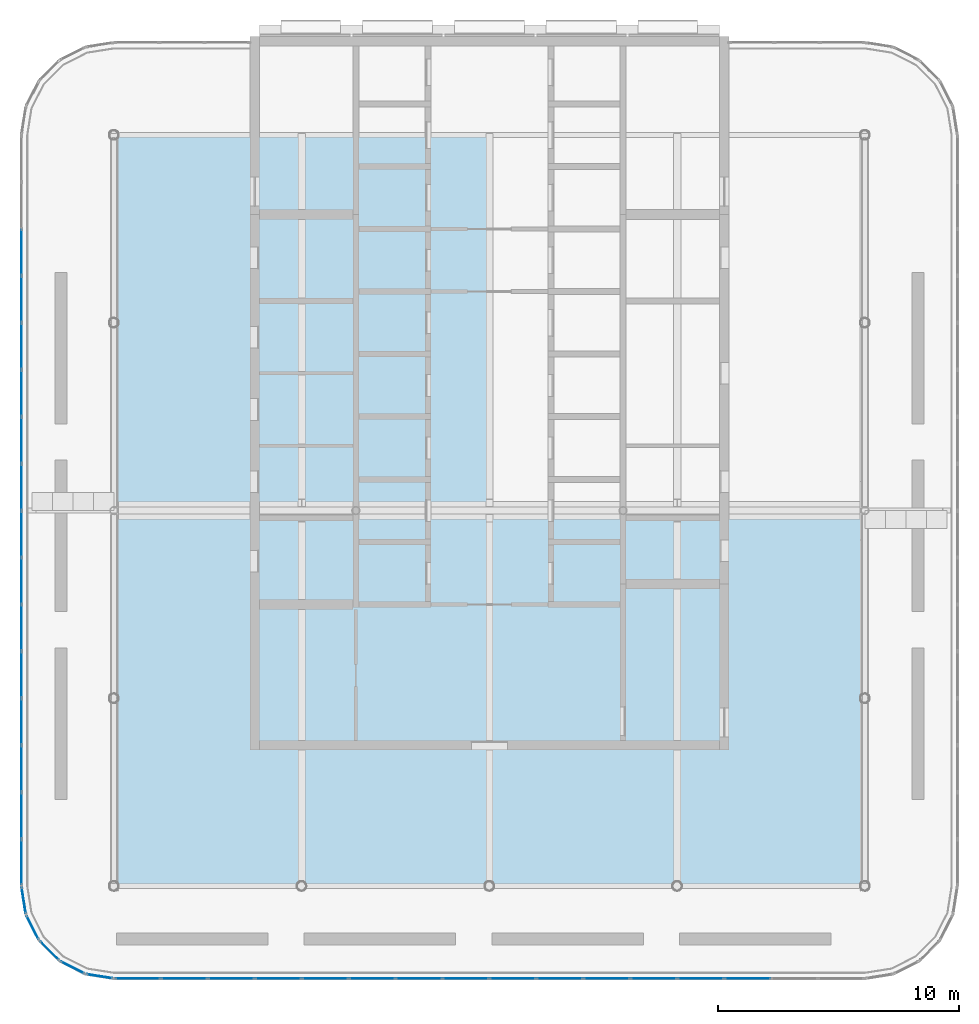
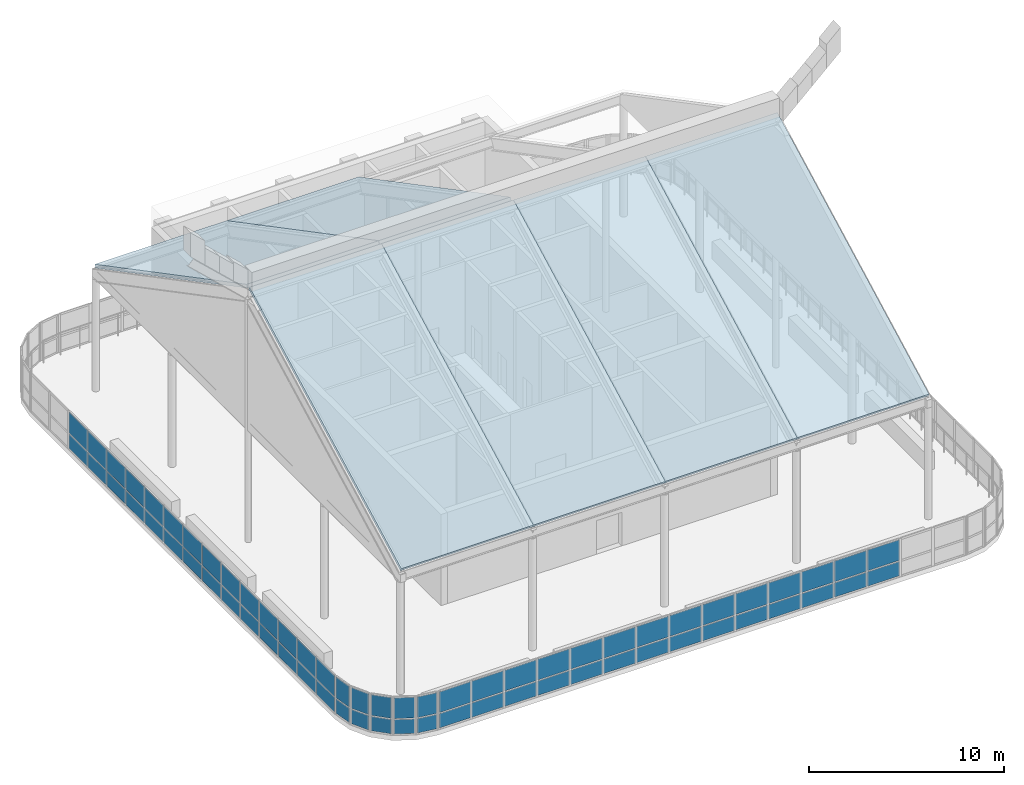
# One storey, part 13 of 19: 66 plates, 6 slabs, 7 elements without a shape of their own.
"""IFC4 building model written with IfcOpenShell, lengths in metres."""

from ifc_helpers import new_model, si_unit, direction, frame, origin, origin_2d, place, context, subcontext, project, spatial, polyline, rectangle, outline, extrude, material, layer, layer_set, type_object, element, aggregate, save


model = new_model("IFC4")

# Units and contexts
model_context = context("Model", 3, precision=1e-05, world=origin(), true_north=direction((0.0, 1.0)))
body_context = subcontext(model_context, "Body", "Model", "MODEL_VIEW")
ifc_project = project(units=[si_unit("LENGTHUNIT", "METRE"), si_unit("AREAUNIT", "SQUARE_METRE"), si_unit("VOLUMEUNIT", "CUBIC_METRE"), si_unit("PLANEANGLEUNIT", "RADIAN"), si_unit("MASSUNIT", "GRAM", prefix="KILO")], contexts=[model_context])

# Site, building, storey
site_placement = place(None, origin())
site = spatial("IfcSite", under=ifc_project, at=site_placement, CompositionType="ELEMENT")
building_placement = place(site_placement, origin())
building = spatial("IfcBuilding", under=site, at=building_placement, Name="Ludao Terraces", CompositionType="ELEMENT")
storey_placement = place(building_placement, frame((0.0, 0.0, 266.39990234375)))
storey = spatial("IfcBuildingStorey", under=building, at=storey_placement, Name="L73", CompositionType="ELEMENT", Elevation=266.39990234375)

# Curtain wall, plates
ifc_material_1 = material(Name="Aluminium curtain wall with fritted glass", Category="aluminium")
curtain_wall_type = type_object("IfcCurtainWallType", Name="ENV CW6 crown screen glazing", PredefinedType="NOTDEFINED", material=ifc_material_1)
curtain_wall_1_placement = place(storey_placement, origin())
curtain_wall_1 = element("IfcCurtainWall", 1, at=curtain_wall_1_placement, inside=storey, type_object=curtain_wall_type, Name="Deck windscreen S1", PredefinedType="NOTDEFINED")
ifc_material_2 = material(Name="Fritted glass panel", Category="glass")
ifc_layer_1 = layer(ifc_material_2, 0.030029296875)
ifc_layer_set_1 = layer_set([ifc_layer_1], Name="ENV CW6 glass panel")
plate_type = type_object("IfcPlateType", Name="ENV CW6 glass panel", PredefinedType="CURTAIN_PANEL", material=ifc_layer_set_1)
plate_1_placement = place(storey_placement, frame((70.392578125, 45.56005859375, 0.070068359375), z_axis=(0.0, 0.0, 1.0), x_axis=(1.0, 0.0, 0.0)))
plate_1 = element("IfcPlate", 2, at=plate_1_placement, type_object=plate_type, Name="CW6 panel 1.1", PredefinedType="CURTAIN_PANEL", context=body_context, shape_type="SweptSolid", body=[
    extrude(rectangle(XDim=1.844970703125, YDim=0.030029296875, at=origin_2d()), origin(), (0.0, 0.0, 1.0), 0.89501953125),
])
plate_2_placement = place(storey_placement, frame((70.392578125, 45.56005859375, 1.03515625), z_axis=(0.0, 0.0, 1.0), x_axis=(1.0, 0.0, 0.0)))
plate_2 = element("IfcPlate", 3, at=plate_2_placement, type_object=plate_type, Name="CW6 panel 1.2", PredefinedType="CURTAIN_PANEL", context=body_context, shape_type="SweptSolid", body=[
    extrude(rectangle(XDim=1.844970703125, YDim=0.030029296875, at=origin_2d()), origin(), (0.0, 0.0, 1.0), 1.294921875),
])
plate_3_placement = place(storey_placement, frame((72.324951171875, 45.56005859375, 0.070068359375), z_axis=(0.0, 0.0, 1.0), x_axis=(1.0, 0.0, 0.0)))
plate_3 = element("IfcPlate", 4, at=plate_3_placement, type_object=plate_type, Name="CW6 panel 2.1", PredefinedType="CURTAIN_PANEL", context=body_context, shape_type="SweptSolid", body=[
    extrude(rectangle(XDim=1.8798828125, YDim=0.030029296875, at=origin_2d()), origin(), (0.0, 0.0, 1.0), 0.89501953125),
])
plate_4_placement = place(storey_placement, frame((72.324951171875, 45.56005859375, 1.03515625), z_axis=(0.0, 0.0, 1.0), x_axis=(1.0, 0.0, 0.0)))
plate_4 = element("IfcPlate", 5, at=plate_4_placement, type_object=plate_type, Name="CW6 panel 2.2", PredefinedType="CURTAIN_PANEL", context=body_context, shape_type="SweptSolid", body=[
    extrude(rectangle(XDim=1.8798828125, YDim=0.030029296875, at=origin_2d()), origin(), (0.0, 0.0, 1.0), 1.294921875),
])
plate_5_placement = place(storey_placement, frame((74.27490234375, 45.56005859375, 0.070068359375), z_axis=(0.0, 0.0, 1.0), x_axis=(1.0, 0.0, 0.0)))
plate_5 = element("IfcPlate", 6, at=plate_5_placement, type_object=plate_type, Name="CW6 panel 3.1", PredefinedType="CURTAIN_PANEL", context=body_context, shape_type="SweptSolid", body=[
    extrude(rectangle(XDim=1.8798828125, YDim=0.030029296875, at=origin_2d()), origin(), (0.0, 0.0, 1.0), 0.89501953125),
])
plate_6_placement = place(storey_placement, frame((74.27490234375, 45.56005859375, 1.03515625), z_axis=(0.0, 0.0, 1.0), x_axis=(1.0, 0.0, 0.0)))
plate_6 = element("IfcPlate", 7, at=plate_6_placement, type_object=plate_type, Name="CW6 panel 3.2", PredefinedType="CURTAIN_PANEL", context=body_context, shape_type="SweptSolid", body=[
    extrude(rectangle(XDim=1.8798828125, YDim=0.030029296875, at=origin_2d()), origin(), (0.0, 0.0, 1.0), 1.294921875),
])
plate_7_placement = place(storey_placement, frame((76.22509765625, 45.56005859375, 0.070068359375), z_axis=(0.0, 0.0, 1.0), x_axis=(1.0, 0.0, 0.0)))
plate_7 = element("IfcPlate", 8, at=plate_7_placement, type_object=plate_type, Name="CW6 panel 4.1", PredefinedType="CURTAIN_PANEL", context=body_context, shape_type="SweptSolid", body=[
    extrude(rectangle(XDim=1.8798828125, YDim=0.030029296875, at=origin_2d()), origin(), (0.0, 0.0, 1.0), 0.89501953125),
])
plate_8_placement = place(storey_placement, frame((76.22509765625, 45.56005859375, 1.03515625), z_axis=(0.0, 0.0, 1.0), x_axis=(1.0, 0.0, 0.0)))
plate_8 = element("IfcPlate", 9, at=plate_8_placement, type_object=plate_type, Name="CW6 panel 4.2", PredefinedType="CURTAIN_PANEL", context=body_context, shape_type="SweptSolid", body=[
    extrude(rectangle(XDim=1.8798828125, YDim=0.030029296875, at=origin_2d()), origin(), (0.0, 0.0, 1.0), 1.294921875),
])
plate_9_placement = place(storey_placement, frame((78.175048828125, 45.56005859375, 0.070068359375), z_axis=(0.0, 0.0, 1.0), x_axis=(1.0, 0.0, 0.0)))
plate_9 = element("IfcPlate", 10, at=plate_9_placement, type_object=plate_type, Name="CW6 panel 5.1", PredefinedType="CURTAIN_PANEL", context=body_context, shape_type="SweptSolid", body=[
    extrude(rectangle(XDim=1.8798828125, YDim=0.030029296875, at=origin_2d()), origin(), (0.0, 0.0, 1.0), 0.89501953125),
])
plate_10_placement = place(storey_placement, frame((78.175048828125, 45.56005859375, 1.03515625), z_axis=(0.0, 0.0, 1.0), x_axis=(1.0, 0.0, 0.0)))
plate_10 = element("IfcPlate", 11, at=plate_10_placement, type_object=plate_type, Name="CW6 panel 5.2", PredefinedType="CURTAIN_PANEL", context=body_context, shape_type="SweptSolid", body=[
    extrude(rectangle(XDim=1.8798828125, YDim=0.030029296875, at=origin_2d()), origin(), (0.0, 0.0, 1.0), 1.294921875),
])
plate_11_placement = place(storey_placement, frame((80.125, 45.56005859375, 0.070068359375), z_axis=(0.0, 0.0, 1.0), x_axis=(1.0, 0.0, 0.0)))
plate_11 = element("IfcPlate", 12, at=plate_11_placement, type_object=plate_type, Name="CW6 panel 6.1", PredefinedType="CURTAIN_PANEL", context=body_context, shape_type="SweptSolid", body=[
    extrude(rectangle(XDim=1.8798828125, YDim=0.030029296875, at=origin_2d()), origin(), (0.0, 0.0, 1.0), 0.89501953125),
])
plate_12_placement = place(storey_placement, frame((80.125, 45.56005859375, 1.03515625), z_axis=(0.0, 0.0, 1.0), x_axis=(1.0, 0.0, 0.0)))
plate_12 = element("IfcPlate", 13, at=plate_12_placement, type_object=plate_type, Name="CW6 panel 6.2", PredefinedType="CURTAIN_PANEL", context=body_context, shape_type="SweptSolid", body=[
    extrude(rectangle(XDim=1.8798828125, YDim=0.030029296875, at=origin_2d()), origin(), (0.0, 0.0, 1.0), 1.294921875),
])
plate_13_placement = place(storey_placement, frame((82.074951171875, 45.56005859375, 0.070068359375), z_axis=(0.0, 0.0, 1.0), x_axis=(1.0, 0.0, 0.0)))
plate_13 = element("IfcPlate", 14, at=plate_13_placement, type_object=plate_type, Name="CW6 panel 7.1", PredefinedType="CURTAIN_PANEL", context=body_context, shape_type="SweptSolid", body=[
    extrude(rectangle(XDim=1.8798828125, YDim=0.030029296875, at=origin_2d()), origin(), (0.0, 0.0, 1.0), 0.89501953125),
])
plate_14_placement = place(storey_placement, frame((82.074951171875, 45.56005859375, 1.03515625), z_axis=(0.0, 0.0, 1.0), x_axis=(1.0, 0.0, 0.0)))
plate_14 = element("IfcPlate", 15, at=plate_14_placement, type_object=plate_type, Name="CW6 panel 7.2", PredefinedType="CURTAIN_PANEL", context=body_context, shape_type="SweptSolid", body=[
    extrude(rectangle(XDim=1.8798828125, YDim=0.030029296875, at=origin_2d()), origin(), (0.0, 0.0, 1.0), 1.294921875),
])
plate_15_placement = place(storey_placement, frame((84.02490234375, 45.56005859375, 0.070068359375), z_axis=(0.0, 0.0, 1.0), x_axis=(1.0, 0.0, 0.0)))
plate_15 = element("IfcPlate", 16, at=plate_15_placement, type_object=plate_type, Name="CW6 panel 8.1", PredefinedType="CURTAIN_PANEL", context=body_context, shape_type="SweptSolid", body=[
    extrude(rectangle(XDim=1.8798828125, YDim=0.030029296875, at=origin_2d()), origin(), (0.0, 0.0, 1.0), 0.89501953125),
])
plate_16_placement = place(storey_placement, frame((84.02490234375, 45.56005859375, 1.03515625), z_axis=(0.0, 0.0, 1.0), x_axis=(1.0, 0.0, 0.0)))
plate_16 = element("IfcPlate", 17, at=plate_16_placement, type_object=plate_type, Name="CW6 panel 8.2", PredefinedType="CURTAIN_PANEL", context=body_context, shape_type="SweptSolid", body=[
    extrude(rectangle(XDim=1.8798828125, YDim=0.030029296875, at=origin_2d()), origin(), (0.0, 0.0, 1.0), 1.294921875),
])
plate_17_placement = place(storey_placement, frame((85.97509765625, 45.56005859375, 0.070068359375), z_axis=(0.0, 0.0, 1.0), x_axis=(1.0, 0.0, 0.0)))
plate_17 = element("IfcPlate", 18, at=plate_17_placement, type_object=plate_type, Name="CW6 panel 9.1", PredefinedType="CURTAIN_PANEL", context=body_context, shape_type="SweptSolid", body=[
    extrude(rectangle(XDim=1.8798828125, YDim=0.030029296875, at=origin_2d()), origin(), (0.0, 0.0, 1.0), 0.89501953125),
])
plate_18_placement = place(storey_placement, frame((85.97509765625, 45.56005859375, 1.03515625), z_axis=(0.0, 0.0, 1.0), x_axis=(1.0, 0.0, 0.0)))
plate_18 = element("IfcPlate", 19, at=plate_18_placement, type_object=plate_type, Name="CW6 panel 9.2", PredefinedType="CURTAIN_PANEL", context=body_context, shape_type="SweptSolid", body=[
    extrude(rectangle(XDim=1.8798828125, YDim=0.030029296875, at=origin_2d()), origin(), (0.0, 0.0, 1.0), 1.294921875),
])
plate_19_placement = place(storey_placement, frame((87.925048828125, 45.56005859375, 0.070068359375), z_axis=(0.0, 0.0, 1.0), x_axis=(1.0, 0.0, 0.0)))
plate_19 = element("IfcPlate", 20, at=plate_19_placement, type_object=plate_type, Name="CW6 panel 10.1", PredefinedType="CURTAIN_PANEL", context=body_context, shape_type="SweptSolid", body=[
    extrude(rectangle(XDim=1.8798828125, YDim=0.030029296875, at=origin_2d()), origin(), (0.0, 0.0, 1.0), 0.89501953125),
])
plate_20_placement = place(storey_placement, frame((87.925048828125, 45.56005859375, 1.03515625), z_axis=(0.0, 0.0, 1.0), x_axis=(1.0, 0.0, 0.0)))
plate_20 = element("IfcPlate", 21, at=plate_20_placement, type_object=plate_type, Name="CW6 panel 10.2", PredefinedType="CURTAIN_PANEL", context=body_context, shape_type="SweptSolid", body=[
    extrude(rectangle(XDim=1.8798828125, YDim=0.030029296875, at=origin_2d()), origin(), (0.0, 0.0, 1.0), 1.294921875),
])
plate_21_placement = place(storey_placement, frame((89.875, 45.56005859375, 0.070068359375), z_axis=(0.0, 0.0, 1.0), x_axis=(1.0, 0.0, 0.0)))
plate_21 = element("IfcPlate", 22, at=plate_21_placement, type_object=plate_type, Name="CW6 panel 11.1", PredefinedType="CURTAIN_PANEL", context=body_context, shape_type="SweptSolid", body=[
    extrude(rectangle(XDim=1.8798828125, YDim=0.030029296875, at=origin_2d()), origin(), (0.0, 0.0, 1.0), 0.89501953125),
])
plate_22_placement = place(storey_placement, frame((89.875, 45.56005859375, 1.03515625), z_axis=(0.0, 0.0, 1.0), x_axis=(1.0, 0.0, 0.0)))
plate_22 = element("IfcPlate", 23, at=plate_22_placement, type_object=plate_type, Name="CW6 panel 11.2", PredefinedType="CURTAIN_PANEL", context=body_context, shape_type="SweptSolid", body=[
    extrude(rectangle(XDim=1.8798828125, YDim=0.030029296875, at=origin_2d()), origin(), (0.0, 0.0, 1.0), 1.294921875),
])
plate_23_placement = place(storey_placement, frame((91.824951171875, 45.56005859375, 0.070068359375), z_axis=(0.0, 0.0, 1.0), x_axis=(1.0, 0.0, 0.0)))
plate_23 = element("IfcPlate", 24, at=plate_23_placement, type_object=plate_type, Name="CW6 panel 12.1", PredefinedType="CURTAIN_PANEL", context=body_context, shape_type="SweptSolid", body=[
    extrude(rectangle(XDim=1.8798828125, YDim=0.030029296875, at=origin_2d()), origin(), (0.0, 0.0, 1.0), 0.89501953125),
])
plate_24_placement = place(storey_placement, frame((91.824951171875, 45.56005859375, 1.03515625), z_axis=(0.0, 0.0, 1.0), x_axis=(1.0, 0.0, 0.0)))
plate_24 = element("IfcPlate", 25, at=plate_24_placement, type_object=plate_type, Name="CW6 panel 12.2", PredefinedType="CURTAIN_PANEL", context=body_context, shape_type="SweptSolid", body=[
    extrude(rectangle(XDim=1.8798828125, YDim=0.030029296875, at=origin_2d()), origin(), (0.0, 0.0, 1.0), 1.294921875),
])
plate_25_placement = place(storey_placement, frame((93.77490234375, 45.56005859375, 0.070068359375), z_axis=(0.0, 0.0, 1.0), x_axis=(1.0, 0.0, 0.0)))
plate_25 = element("IfcPlate", 26, at=plate_25_placement, type_object=plate_type, Name="CW6 panel 13.1", PredefinedType="CURTAIN_PANEL", context=body_context, shape_type="SweptSolid", body=[
    extrude(rectangle(XDim=1.8798828125, YDim=0.030029296875, at=origin_2d()), origin(), (0.0, 0.0, 1.0), 0.89501953125),
])
plate_26_placement = place(storey_placement, frame((93.77490234375, 45.56005859375, 1.03515625), z_axis=(0.0, 0.0, 1.0), x_axis=(1.0, 0.0, 0.0)))
plate_26 = element("IfcPlate", 27, at=plate_26_placement, type_object=plate_type, Name="CW6 panel 13.2", PredefinedType="CURTAIN_PANEL", context=body_context, shape_type="SweptSolid", body=[
    extrude(rectangle(XDim=1.8798828125, YDim=0.030029296875, at=origin_2d()), origin(), (0.0, 0.0, 1.0), 1.294921875),
])
plate_27_placement = place(storey_placement, frame((95.72509765625, 45.56005859375, 0.070068359375), z_axis=(0.0, 0.0, 1.0), x_axis=(1.0, 0.0, 0.0)))
plate_27 = element("IfcPlate", 28, at=plate_27_placement, type_object=plate_type, Name="CW6 panel 14.1", PredefinedType="CURTAIN_PANEL", context=body_context, shape_type="SweptSolid", body=[
    extrude(rectangle(XDim=1.8798828125, YDim=0.030029296875, at=origin_2d()), origin(), (0.0, 0.0, 1.0), 0.89501953125),
])
plate_28_placement = place(storey_placement, frame((95.72509765625, 45.56005859375, 1.03515625), z_axis=(0.0, 0.0, 1.0), x_axis=(1.0, 0.0, 0.0)))
plate_28 = element("IfcPlate", 29, at=plate_28_placement, type_object=plate_type, Name="CW6 panel 14.2", PredefinedType="CURTAIN_PANEL", context=body_context, shape_type="SweptSolid", body=[
    extrude(rectangle(XDim=1.8798828125, YDim=0.030029296875, at=origin_2d()), origin(), (0.0, 0.0, 1.0), 1.294921875),
])
aggregate(curtain_wall_1, [plate_1, plate_2, plate_3, plate_4, plate_5, plate_6, plate_7, plate_8, plate_9, plate_10, plate_11, plate_12, plate_13, plate_14, plate_15, plate_16, plate_17, plate_18, plate_19, plate_20, plate_21, plate_22, plate_23, plate_24, plate_25, plate_26, plate_27, plate_28])

curtain_wall_2_placement = place(storey_placement, origin())
curtain_wall_2 = element("IfcCurtainWall", 30, at=curtain_wall_2_placement, inside=storey, type_object=curtain_wall_type, Name="Deck windscreen W1", PredefinedType="NOTDEFINED")
plate_29_placement = place(storey_placement, frame((65.56005859375, 50.392578125, 0.070068359375), z_axis=(0.0, 0.0, 1.0), x_axis=(0.0, 1.0, 0.0)))
plate_29 = element("IfcPlate", 31, at=plate_29_placement, type_object=plate_type, Name="CW6 panel 1.1", PredefinedType="CURTAIN_PANEL", context=body_context, shape_type="SweptSolid", body=[
    extrude(rectangle(XDim=1.844970703125, YDim=0.030029296875, at=origin_2d()), origin(), (0.0, 0.0, 1.0), 0.89501953125),
])
plate_30_placement = place(storey_placement, frame((65.56005859375, 50.392578125, 1.03515625), z_axis=(0.0, 0.0, 1.0), x_axis=(0.0, 1.0, 0.0)))
plate_30 = element("IfcPlate", 32, at=plate_30_placement, type_object=plate_type, Name="CW6 panel 1.2", PredefinedType="CURTAIN_PANEL", context=body_context, shape_type="SweptSolid", body=[
    extrude(rectangle(XDim=1.844970703125, YDim=0.030029296875, at=origin_2d()), origin(), (0.0, 0.0, 1.0), 1.294921875),
])
plate_31_placement = place(storey_placement, frame((65.56005859375, 52.324951171875, 0.070068359375), z_axis=(0.0, 0.0, 1.0), x_axis=(0.0, 1.0, 0.0)))
plate_31 = element("IfcPlate", 33, at=plate_31_placement, type_object=plate_type, Name="CW6 panel 2.1", PredefinedType="CURTAIN_PANEL", context=body_context, shape_type="SweptSolid", body=[
    extrude(rectangle(XDim=1.8798828125, YDim=0.030029296875, at=origin_2d()), origin(), (0.0, 0.0, 1.0), 0.89501953125),
])
plate_32_placement = place(storey_placement, frame((65.56005859375, 52.324951171875, 1.03515625), z_axis=(0.0, 0.0, 1.0), x_axis=(0.0, 1.0, 0.0)))
plate_32 = element("IfcPlate", 34, at=plate_32_placement, type_object=plate_type, Name="CW6 panel 2.2", PredefinedType="CURTAIN_PANEL", context=body_context, shape_type="SweptSolid", body=[
    extrude(rectangle(XDim=1.8798828125, YDim=0.030029296875, at=origin_2d()), origin(), (0.0, 0.0, 1.0), 1.294921875),
])
plate_33_placement = place(storey_placement, frame((65.56005859375, 54.27490234375, 0.070068359375), z_axis=(0.0, 0.0, 1.0), x_axis=(0.0, 1.0, 0.0)))
plate_33 = element("IfcPlate", 35, at=plate_33_placement, type_object=plate_type, Name="CW6 panel 3.1", PredefinedType="CURTAIN_PANEL", context=body_context, shape_type="SweptSolid", body=[
    extrude(rectangle(XDim=1.8798828125, YDim=0.030029296875, at=origin_2d()), origin(), (0.0, 0.0, 1.0), 0.89501953125),
])
plate_34_placement = place(storey_placement, frame((65.56005859375, 54.27490234375, 1.03515625), z_axis=(0.0, 0.0, 1.0), x_axis=(0.0, 1.0, 0.0)))
plate_34 = element("IfcPlate", 36, at=plate_34_placement, type_object=plate_type, Name="CW6 panel 3.2", PredefinedType="CURTAIN_PANEL", context=body_context, shape_type="SweptSolid", body=[
    extrude(rectangle(XDim=1.8798828125, YDim=0.030029296875, at=origin_2d()), origin(), (0.0, 0.0, 1.0), 1.294921875),
])
plate_35_placement = place(storey_placement, frame((65.56005859375, 56.22509765625, 0.070068359375), z_axis=(0.0, 0.0, 1.0), x_axis=(0.0, 1.0, 0.0)))
plate_35 = element("IfcPlate", 37, at=plate_35_placement, type_object=plate_type, Name="CW6 panel 4.1", PredefinedType="CURTAIN_PANEL", context=body_context, shape_type="SweptSolid", body=[
    extrude(rectangle(XDim=1.8798828125, YDim=0.030029296875, at=origin_2d()), origin(), (0.0, 0.0, 1.0), 0.89501953125),
])
plate_36_placement = place(storey_placement, frame((65.56005859375, 56.22509765625, 1.03515625), z_axis=(0.0, 0.0, 1.0), x_axis=(0.0, 1.0, 0.0)))
plate_36 = element("IfcPlate", 38, at=plate_36_placement, type_object=plate_type, Name="CW6 panel 4.2", PredefinedType="CURTAIN_PANEL", context=body_context, shape_type="SweptSolid", body=[
    extrude(rectangle(XDim=1.8798828125, YDim=0.030029296875, at=origin_2d()), origin(), (0.0, 0.0, 1.0), 1.294921875),
])
plate_37_placement = place(storey_placement, frame((65.56005859375, 58.175048828125, 0.070068359375), z_axis=(0.0, 0.0, 1.0), x_axis=(0.0, 1.0, 0.0)))
plate_37 = element("IfcPlate", 39, at=plate_37_placement, type_object=plate_type, Name="CW6 panel 5.1", PredefinedType="CURTAIN_PANEL", context=body_context, shape_type="SweptSolid", body=[
    extrude(rectangle(XDim=1.8798828125, YDim=0.030029296875, at=origin_2d()), origin(), (0.0, 0.0, 1.0), 0.89501953125),
])
plate_38_placement = place(storey_placement, frame((65.56005859375, 58.175048828125, 1.03515625), z_axis=(0.0, 0.0, 1.0), x_axis=(0.0, 1.0, 0.0)))
plate_38 = element("IfcPlate", 40, at=plate_38_placement, type_object=plate_type, Name="CW6 panel 5.2", PredefinedType="CURTAIN_PANEL", context=body_context, shape_type="SweptSolid", body=[
    extrude(rectangle(XDim=1.8798828125, YDim=0.030029296875, at=origin_2d()), origin(), (0.0, 0.0, 1.0), 1.294921875),
])
plate_39_placement = place(storey_placement, frame((65.56005859375, 60.125, 0.070068359375), z_axis=(0.0, 0.0, 1.0), x_axis=(0.0, 1.0, 0.0)))
plate_39 = element("IfcPlate", 41, at=plate_39_placement, type_object=plate_type, Name="CW6 panel 6.1", PredefinedType="CURTAIN_PANEL", context=body_context, shape_type="SweptSolid", body=[
    extrude(rectangle(XDim=1.8798828125, YDim=0.030029296875, at=origin_2d()), origin(), (0.0, 0.0, 1.0), 0.89501953125),
])
plate_40_placement = place(storey_placement, frame((65.56005859375, 60.125, 1.03515625), z_axis=(0.0, 0.0, 1.0), x_axis=(0.0, 1.0, 0.0)))
plate_40 = element("IfcPlate", 42, at=plate_40_placement, type_object=plate_type, Name="CW6 panel 6.2", PredefinedType="CURTAIN_PANEL", context=body_context, shape_type="SweptSolid", body=[
    extrude(rectangle(XDim=1.8798828125, YDim=0.030029296875, at=origin_2d()), origin(), (0.0, 0.0, 1.0), 1.294921875),
])
plate_41_placement = place(storey_placement, frame((65.56005859375, 62.074951171875, 0.070068359375), z_axis=(0.0, 0.0, 1.0), x_axis=(0.0, 1.0, 0.0)))
plate_41 = element("IfcPlate", 43, at=plate_41_placement, type_object=plate_type, Name="CW6 panel 7.1", PredefinedType="CURTAIN_PANEL", context=body_context, shape_type="SweptSolid", body=[
    extrude(rectangle(XDim=1.8798828125, YDim=0.030029296875, at=origin_2d()), origin(), (0.0, 0.0, 1.0), 0.89501953125),
])
plate_42_placement = place(storey_placement, frame((65.56005859375, 62.074951171875, 1.03515625), z_axis=(0.0, 0.0, 1.0), x_axis=(0.0, 1.0, 0.0)))
plate_42 = element("IfcPlate", 44, at=plate_42_placement, type_object=plate_type, Name="CW6 panel 7.2", PredefinedType="CURTAIN_PANEL", context=body_context, shape_type="SweptSolid", body=[
    extrude(rectangle(XDim=1.8798828125, YDim=0.030029296875, at=origin_2d()), origin(), (0.0, 0.0, 1.0), 1.294921875),
])
plate_43_placement = place(storey_placement, frame((65.56005859375, 64.02490234375, 0.070068359375), z_axis=(0.0, 0.0, 1.0), x_axis=(0.0, 1.0, 0.0)))
plate_43 = element("IfcPlate", 45, at=plate_43_placement, type_object=plate_type, Name="CW6 panel 8.1", PredefinedType="CURTAIN_PANEL", context=body_context, shape_type="SweptSolid", body=[
    extrude(rectangle(XDim=1.8798828125, YDim=0.030029296875, at=origin_2d()), origin(), (0.0, 0.0, 1.0), 0.89501953125),
])
plate_44_placement = place(storey_placement, frame((65.56005859375, 64.02490234375, 1.03515625), z_axis=(0.0, 0.0, 1.0), x_axis=(0.0, 1.0, 0.0)))
plate_44 = element("IfcPlate", 46, at=plate_44_placement, type_object=plate_type, Name="CW6 panel 8.2", PredefinedType="CURTAIN_PANEL", context=body_context, shape_type="SweptSolid", body=[
    extrude(rectangle(XDim=1.8798828125, YDim=0.030029296875, at=origin_2d()), origin(), (0.0, 0.0, 1.0), 1.294921875),
])
plate_45_placement = place(storey_placement, frame((65.56005859375, 65.97509765625, 0.070068359375), z_axis=(0.0, 0.0, 1.0), x_axis=(0.0, 1.0, 0.0)))
plate_45 = element("IfcPlate", 47, at=plate_45_placement, type_object=plate_type, Name="CW6 panel 9.1", PredefinedType="CURTAIN_PANEL", context=body_context, shape_type="SweptSolid", body=[
    extrude(rectangle(XDim=1.8798828125, YDim=0.030029296875, at=origin_2d()), origin(), (0.0, 0.0, 1.0), 0.89501953125),
])
plate_46_placement = place(storey_placement, frame((65.56005859375, 65.97509765625, 1.03515625), z_axis=(0.0, 0.0, 1.0), x_axis=(0.0, 1.0, 0.0)))
plate_46 = element("IfcPlate", 48, at=plate_46_placement, type_object=plate_type, Name="CW6 panel 9.2", PredefinedType="CURTAIN_PANEL", context=body_context, shape_type="SweptSolid", body=[
    extrude(rectangle(XDim=1.8798828125, YDim=0.030029296875, at=origin_2d()), origin(), (0.0, 0.0, 1.0), 1.294921875),
])
plate_47_placement = place(storey_placement, frame((65.56005859375, 67.925048828125, 0.070068359375), z_axis=(0.0, 0.0, 1.0), x_axis=(0.0, 1.0, 0.0)))
plate_47 = element("IfcPlate", 49, at=plate_47_placement, type_object=plate_type, Name="CW6 panel 10.1", PredefinedType="CURTAIN_PANEL", context=body_context, shape_type="SweptSolid", body=[
    extrude(rectangle(XDim=1.8798828125, YDim=0.030029296875, at=origin_2d()), origin(), (0.0, 0.0, 1.0), 0.89501953125),
])
plate_48_placement = place(storey_placement, frame((65.56005859375, 67.925048828125, 1.03515625), z_axis=(0.0, 0.0, 1.0), x_axis=(0.0, 1.0, 0.0)))
plate_48 = element("IfcPlate", 50, at=plate_48_placement, type_object=plate_type, Name="CW6 panel 10.2", PredefinedType="CURTAIN_PANEL", context=body_context, shape_type="SweptSolid", body=[
    extrude(rectangle(XDim=1.8798828125, YDim=0.030029296875, at=origin_2d()), origin(), (0.0, 0.0, 1.0), 1.294921875),
])
plate_49_placement = place(storey_placement, frame((65.56005859375, 69.875, 0.070068359375), z_axis=(0.0, 0.0, 1.0), x_axis=(0.0, 1.0, 0.0)))
plate_49 = element("IfcPlate", 51, at=plate_49_placement, type_object=plate_type, Name="CW6 panel 11.1", PredefinedType="CURTAIN_PANEL", context=body_context, shape_type="SweptSolid", body=[
    extrude(rectangle(XDim=1.8798828125, YDim=0.030029296875, at=origin_2d()), origin(), (0.0, 0.0, 1.0), 0.89501953125),
])
plate_50_placement = place(storey_placement, frame((65.56005859375, 69.875, 1.03515625), z_axis=(0.0, 0.0, 1.0), x_axis=(0.0, 1.0, 0.0)))
plate_50 = element("IfcPlate", 52, at=plate_50_placement, type_object=plate_type, Name="CW6 panel 11.2", PredefinedType="CURTAIN_PANEL", context=body_context, shape_type="SweptSolid", body=[
    extrude(rectangle(XDim=1.8798828125, YDim=0.030029296875, at=origin_2d()), origin(), (0.0, 0.0, 1.0), 1.294921875),
])
plate_51_placement = place(storey_placement, frame((65.56005859375, 71.824951171875, 0.070068359375), z_axis=(0.0, 0.0, 1.0), x_axis=(0.0, 1.0, 0.0)))
plate_51 = element("IfcPlate", 53, at=plate_51_placement, type_object=plate_type, Name="CW6 panel 12.1", PredefinedType="CURTAIN_PANEL", context=body_context, shape_type="SweptSolid", body=[
    extrude(rectangle(XDim=1.8798828125, YDim=0.030029296875, at=origin_2d()), origin(), (0.0, 0.0, 1.0), 0.89501953125),
])
plate_52_placement = place(storey_placement, frame((65.56005859375, 71.824951171875, 1.03515625), z_axis=(0.0, 0.0, 1.0), x_axis=(0.0, 1.0, 0.0)))
plate_52 = element("IfcPlate", 54, at=plate_52_placement, type_object=plate_type, Name="CW6 panel 12.2", PredefinedType="CURTAIN_PANEL", context=body_context, shape_type="SweptSolid", body=[
    extrude(rectangle(XDim=1.8798828125, YDim=0.030029296875, at=origin_2d()), origin(), (0.0, 0.0, 1.0), 1.294921875),
])
plate_53_placement = place(storey_placement, frame((65.56005859375, 73.77490234375, 0.070068359375), z_axis=(0.0, 0.0, 1.0), x_axis=(0.0, 1.0, 0.0)))
plate_53 = element("IfcPlate", 55, at=plate_53_placement, type_object=plate_type, Name="CW6 panel 13.1", PredefinedType="CURTAIN_PANEL", context=body_context, shape_type="SweptSolid", body=[
    extrude(rectangle(XDim=1.8798828125, YDim=0.030029296875, at=origin_2d()), origin(), (0.0, 0.0, 1.0), 0.89501953125),
])
plate_54_placement = place(storey_placement, frame((65.56005859375, 73.77490234375, 1.03515625), z_axis=(0.0, 0.0, 1.0), x_axis=(0.0, 1.0, 0.0)))
plate_54 = element("IfcPlate", 56, at=plate_54_placement, type_object=plate_type, Name="CW6 panel 13.2", PredefinedType="CURTAIN_PANEL", context=body_context, shape_type="SweptSolid", body=[
    extrude(rectangle(XDim=1.8798828125, YDim=0.030029296875, at=origin_2d()), origin(), (0.0, 0.0, 1.0), 1.294921875),
])
plate_55_placement = place(storey_placement, frame((65.56005859375, 75.72509765625, 0.070068359375), z_axis=(0.0, 0.0, 1.0), x_axis=(0.0, 1.0, 0.0)))
plate_55 = element("IfcPlate", 57, at=plate_55_placement, type_object=plate_type, Name="CW6 panel 14.1", PredefinedType="CURTAIN_PANEL", context=body_context, shape_type="SweptSolid", body=[
    extrude(rectangle(XDim=1.8798828125, YDim=0.030029296875, at=origin_2d()), origin(), (0.0, 0.0, 1.0), 0.89501953125),
])
plate_56_placement = place(storey_placement, frame((65.56005859375, 75.72509765625, 1.03515625), z_axis=(0.0, 0.0, 1.0), x_axis=(0.0, 1.0, 0.0)))
plate_56 = element("IfcPlate", 58, at=plate_56_placement, type_object=plate_type, Name="CW6 panel 14.2", PredefinedType="CURTAIN_PANEL", context=body_context, shape_type="SweptSolid", body=[
    extrude(rectangle(XDim=1.8798828125, YDim=0.030029296875, at=origin_2d()), origin(), (0.0, 0.0, 1.0), 1.294921875),
])
aggregate(curtain_wall_2, [plate_29, plate_30, plate_31, plate_32, plate_33, plate_34, plate_35, plate_36, plate_37, plate_38, plate_39, plate_40, plate_41, plate_42, plate_43, plate_44, plate_45, plate_46, plate_47, plate_48, plate_49, plate_50, plate_51, plate_52, plate_53, plate_54, plate_55, plate_56])

curtain_wall_3_placement = place(storey_placement, origin())
curtain_wall_3 = element("IfcCurtainWall", 59, at=curtain_wall_3_placement, inside=storey, type_object=curtain_wall_type, Name="Deck windscreen SW1", PredefinedType="NOTDEFINED")
plate_57_placement = place(storey_placement, frame((65.654052734375, 48.806640625, 0.070068359375), z_axis=(0.0, 0.0, 1.0), x_axis=(0.1564345166, -0.987688332429, 0.0)))
plate_57 = element("IfcPlate", 60, at=plate_57_placement, type_object=plate_type, Name="CW6 panel 1.1", PredefinedType="CURTAIN_PANEL", context=body_context, shape_type="SweptSolid", body=[
    extrude(rectangle(XDim=1.0615234375, YDim=0.030029296875, at=origin_2d()), origin(), (0.0, 0.0, 1.0), 0.89501953125),
])
plate_58_placement = place(storey_placement, frame((65.654052734375, 48.806640625, 1.03515625), z_axis=(0.0, 0.0, 1.0), x_axis=(0.1564345166, -0.987688332429, 0.0)))
plate_58 = element("IfcPlate", 61, at=plate_58_placement, type_object=plate_type, Name="CW6 panel 1.2", PredefinedType="CURTAIN_PANEL", context=body_context, shape_type="SweptSolid", body=[
    extrude(rectangle(XDim=1.0615234375, YDim=0.030029296875, at=origin_2d()), origin(), (0.0, 0.0, 1.0), 1.294921875),
])
aggregate(curtain_wall_3, [plate_57, plate_58])

curtain_wall_4_placement = place(storey_placement, origin())
curtain_wall_4 = element("IfcCurtainWall", 62, at=curtain_wall_4_placement, inside=storey, type_object=curtain_wall_type, Name="Deck windscreen SW2", PredefinedType="NOTDEFINED")
plate_59_placement = place(storey_placement, frame((66.020751953125, 47.67822265625, 0.070068359375), z_axis=(0.0, 0.0, 1.0), x_axis=(0.453990692743, -0.891006425848, 0.0)))
plate_59 = element("IfcPlate", 63, at=plate_59_placement, type_object=plate_type, Name="CW6 panel 1.1", PredefinedType="CURTAIN_PANEL", context=body_context, shape_type="SweptSolid", body=[
    extrude(rectangle(XDim=1.0615234375, YDim=0.030029296875, at=origin_2d()), origin(), (0.0, 0.0, 1.0), 0.89501953125),
])
plate_60_placement = place(storey_placement, frame((66.020751953125, 47.67822265625, 1.03515625), z_axis=(0.0, 0.0, 1.0), x_axis=(0.453990692743, -0.891006425848, 0.0)))
plate_60 = element("IfcPlate", 64, at=plate_60_placement, type_object=plate_type, Name="CW6 panel 1.2", PredefinedType="CURTAIN_PANEL", context=body_context, shape_type="SweptSolid", body=[
    extrude(rectangle(XDim=1.0615234375, YDim=0.030029296875, at=origin_2d()), origin(), (0.0, 0.0, 1.0), 1.294921875),
])
aggregate(curtain_wall_4, [plate_59, plate_60])

curtain_wall_5_placement = place(storey_placement, origin())
curtain_wall_5 = element("IfcCurtainWall", 65, at=curtain_wall_5_placement, inside=storey, type_object=curtain_wall_type, Name="Deck windscreen SW3", PredefinedType="NOTDEFINED")
plate_61_placement = place(storey_placement, frame((66.71826171875, 46.71826171875, 0.070068359375), z_axis=(0.0, 0.0, 1.0), x_axis=(0.707106781187, -0.707106781187, 0.0)))
plate_61 = element("IfcPlate", 66, at=plate_61_placement, type_object=plate_type, Name="CW6 panel 1.1", PredefinedType="CURTAIN_PANEL", context=body_context, shape_type="SweptSolid", body=[
    extrude(rectangle(XDim=1.0615234375, YDim=0.030029296875, at=origin_2d()), origin(), (0.0, 0.0, 1.0), 0.89501953125),
])
plate_62_placement = place(storey_placement, frame((66.71826171875, 46.71826171875, 1.03515625), z_axis=(0.0, 0.0, 1.0), x_axis=(0.707106781187, -0.707106781187, 0.0)))
plate_62 = element("IfcPlate", 67, at=plate_62_placement, type_object=plate_type, Name="CW6 panel 1.2", PredefinedType="CURTAIN_PANEL", context=body_context, shape_type="SweptSolid", body=[
    extrude(rectangle(XDim=1.0615234375, YDim=0.030029296875, at=origin_2d()), origin(), (0.0, 0.0, 1.0), 1.294921875),
])
aggregate(curtain_wall_5, [plate_61, plate_62])

curtain_wall_6_placement = place(storey_placement, origin())
curtain_wall_6 = element("IfcCurtainWall", 68, at=curtain_wall_6_placement, inside=storey, type_object=curtain_wall_type, Name="Deck windscreen SW4", PredefinedType="NOTDEFINED")
plate_63_placement = place(storey_placement, frame((67.67822265625, 46.020751953125, 0.070068359375), z_axis=(0.0, 0.0, 1.0), x_axis=(0.891006425848, -0.453990692743, 0.0)))
plate_63 = element("IfcPlate", 69, at=plate_63_placement, type_object=plate_type, Name="CW6 panel 1.1", PredefinedType="CURTAIN_PANEL", context=body_context, shape_type="SweptSolid", body=[
    extrude(rectangle(XDim=1.0615234375, YDim=0.030029296875, at=origin_2d()), origin(), (0.0, 0.0, 1.0), 0.89501953125),
])
plate_64_placement = place(storey_placement, frame((67.67822265625, 46.020751953125, 1.03515625), z_axis=(0.0, 0.0, 1.0), x_axis=(0.891006425848, -0.453990692743, 0.0)))
plate_64 = element("IfcPlate", 70, at=plate_64_placement, type_object=plate_type, Name="CW6 panel 1.2", PredefinedType="CURTAIN_PANEL", context=body_context, shape_type="SweptSolid", body=[
    extrude(rectangle(XDim=1.0615234375, YDim=0.030029296875, at=origin_2d()), origin(), (0.0, 0.0, 1.0), 1.294921875),
])
aggregate(curtain_wall_6, [plate_63, plate_64])

curtain_wall_7_placement = place(storey_placement, origin())
curtain_wall_7 = element("IfcCurtainWall", 71, at=curtain_wall_7_placement, inside=storey, type_object=curtain_wall_type, Name="Deck windscreen SW5", PredefinedType="NOTDEFINED")
plate_65_placement = place(storey_placement, frame((68.806640625, 45.654052734375, 0.070068359375), z_axis=(0.0, 0.0, 1.0), x_axis=(0.987688332429, -0.1564345166, 0.0)))
plate_65 = element("IfcPlate", 72, at=plate_65_placement, type_object=plate_type, Name="CW6 panel 1.1", PredefinedType="CURTAIN_PANEL", context=body_context, shape_type="SweptSolid", body=[
    extrude(rectangle(XDim=1.0615234375, YDim=0.030029296875, at=origin_2d()), origin(), (0.0, 0.0, 1.0), 0.89501953125),
])
plate_66_placement = place(storey_placement, frame((68.806640625, 45.654052734375, 1.03515625), z_axis=(0.0, 0.0, 1.0), x_axis=(0.987688332429, -0.1564345166, 0.0)))
plate_66 = element("IfcPlate", 73, at=plate_66_placement, type_object=plate_type, Name="CW6 panel 1.2", PredefinedType="CURTAIN_PANEL", context=body_context, shape_type="SweptSolid", body=[
    extrude(rectangle(XDim=1.0615234375, YDim=0.030029296875, at=origin_2d()), origin(), (0.0, 0.0, 1.0), 1.294921875),
])
aggregate(curtain_wall_7, [plate_65, plate_66])

# Slabs
ifc_material_3 = material(Name="Aluminium roofing", Category="aluminium")
ifc_layer_2 = layer(ifc_material_3, 0.080078125)
ifc_material_4 = material(Name="Steel Q355", Category="steel")
ifc_layer_3 = layer(ifc_material_4, 0.1201171875, Category="steel")
ifc_layer_set_2 = layer_set([ifc_layer_2, ifc_layer_3], Name="ENV Canopy roof panel 200")
slab_type = type_object("IfcSlabType", Name="ENV Canopy roof panel 200", PredefinedType="ROOF", material=ifc_layer_set_2)
for number, where, z_axis, x_axis, name in (
    (74, (69.39990234375, 49.306884765625, 7.7724609375), (0.0, -0.465279350387, 0.885163897876), (1.0, 0.0, 0.0), "CAN-S1"),
    (75, (69.39990234375, 65.14990234375, 15.942626953125), (0.0, 0.465279350387, 0.885163897876), (1.0, 0.0, 0.0), "CAN-N1"),
    (76, (77.199951171875, 49.306884765625, 7.7724609375), (0.0, -0.465279350387, 0.885163897876), (1.0, 0.0, 0.0), "CAN-S2"),
    (77, (77.199951171875, 65.14990234375, 15.942626953125), (0.0, 0.465279350387, 0.885163897876), (1.0, 0.0, 0.0), "CAN-N2"),
    (78, (85.0, 49.306884765625, 7.7724609375), (0.0, -0.465279350387, 0.885163897876), (1.0, 0.0, 0.0), "CAN-S3"),
    (79, (92.800048828125, 49.306884765625, 7.7724609375), (0.0, -0.465279350387, 0.885163897876), (1.0, 0.0, 0.0), "CAN-S4"),
):
    element("IfcSlab", number, at=place(storey_placement, frame(where, z_axis=z_axis, x_axis=x_axis)), inside=storey, type_object=slab_type, Name=name, PredefinedType="ROOF", context=body_context, shape_type="SweptSolid", body=[
        extrude(outline(polyline([(0.0, 0.0), (7.800048828125, 0.0), (7.800048828125, 17.559700444089724), (0.0, 17.559700444089724), (0.0, 0.0)])), origin(), (0.0, 0.0, -1.0), 0.199951171875),
    ])

save(model, "model.ifc")
